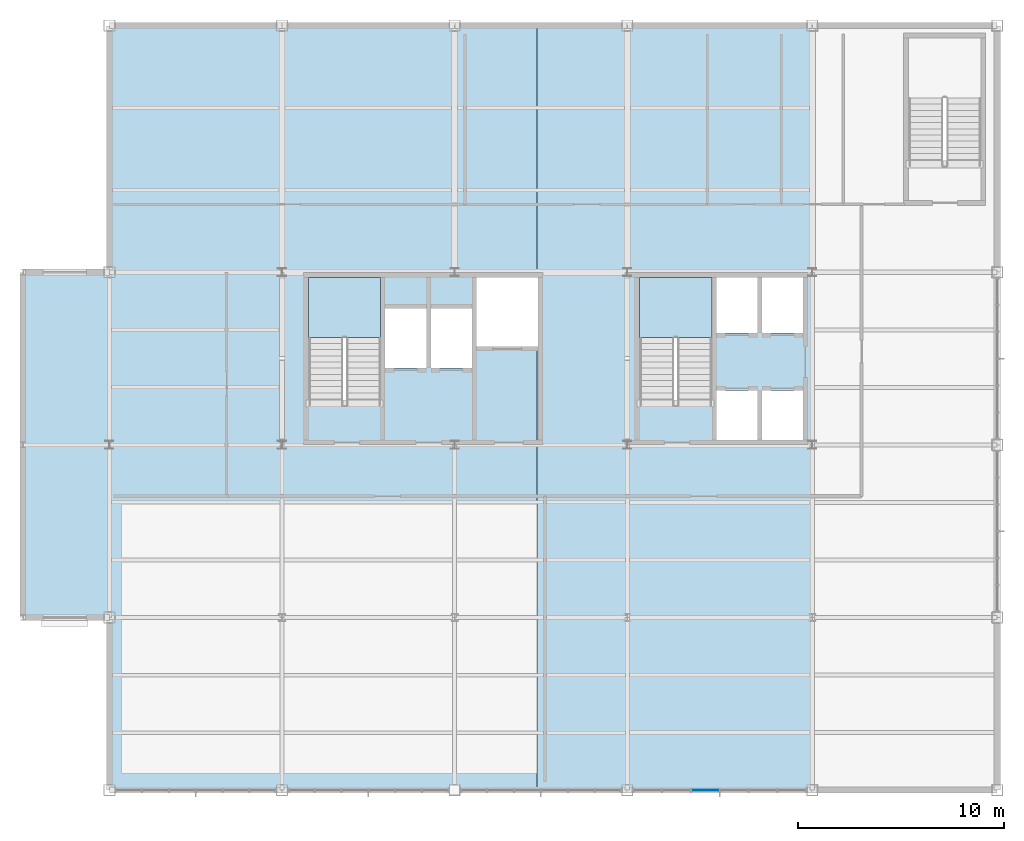
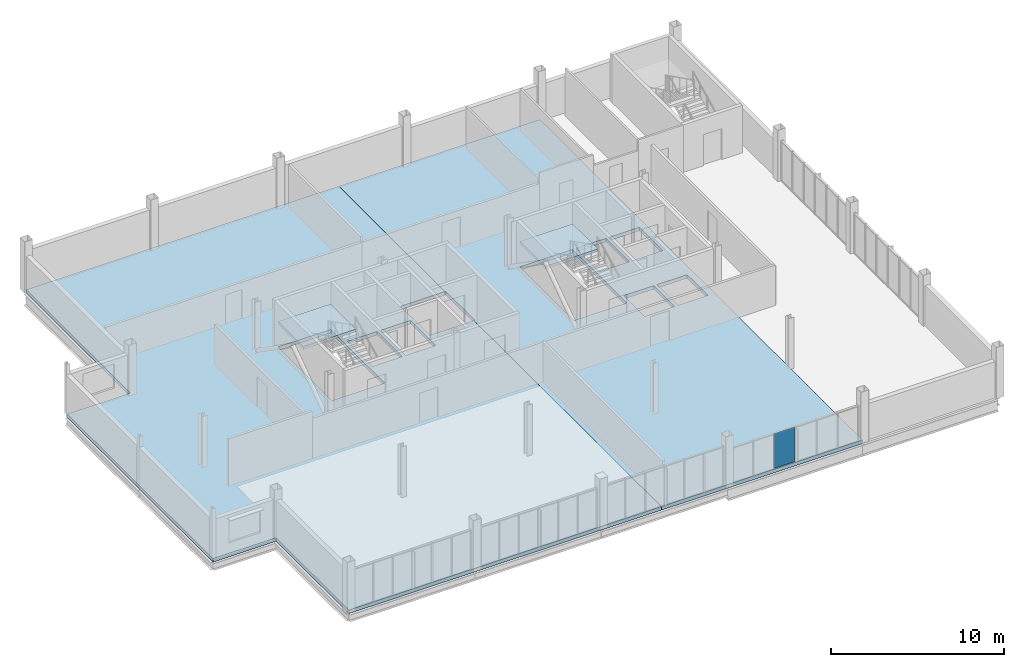
# One storey, part 12 of 18: 4 slabs, 1 plate, 3 elements without a shape of their own.
"""IFC4 building model written with IfcOpenShell, lengths in metres."""

from ifc_helpers import new_model, si_unit, direction, frame, origin, origin_2d, place, context, subcontext, project, spatial, polyline, rectangle, outline, extrude, material, layer, layer_set, type_object, element, aggregate, save


model = new_model("IFC4")

# Units and contexts
model_context = context("Model", 3, precision=1e-05, world=origin(), true_north=direction((0.0, 1.0)))
body_context = subcontext(model_context, "Body", "Model", "MODEL_VIEW")
ifc_project = project(units=[si_unit("LENGTHUNIT", "METRE"), si_unit("AREAUNIT", "SQUARE_METRE"), si_unit("VOLUMEUNIT", "CUBIC_METRE"), si_unit("PLANEANGLEUNIT", "RADIAN"), si_unit("MASSUNIT", "GRAM", prefix="KILO")], contexts=[model_context])

# Site, building, storey
site_placement = place(None, origin())
site = spatial("IfcSite", under=ifc_project, at=site_placement, CompositionType="ELEMENT")
building_placement = place(site_placement, origin())
building = spatial("IfcBuilding", under=site, at=building_placement, Name="Yukiwa Park Conservatory and Herbarium", CompositionType="ELEMENT")
storey_placement = place(building_placement, frame((0.0, 0.0, 24.60009765625)))
storey = spatial("IfcBuildingStorey", under=building, at=storey_placement, Name="L06", CompositionType="ELEMENT", Elevation=24.60009765625)

# Curtain wall, plate
ifc_material_1 = material(Name="Triple Low-E Insulated Glass", Category="glass")
ifc_layer_1 = layer(ifc_material_1, 0.248046875)
ifc_layer_set_1 = layer_set([ifc_layer_1], Name="Triple Low-E Insulated Glass")
curtain_wall_type = type_object("IfcCurtainWallType", Name="CW-TOWER-LAB-S-1400", PredefinedType="NOTDEFINED", material=ifc_layer_set_1)
curtain_wall_placement = place(storey_placement, origin())
curtain_wall = element("IfcCurtainWall", 1, at=curtain_wall_placement, inside=storey, type_object=curtain_wall_type, Name="L06 unitised curtain wall CW-L06-085", PredefinedType="NOTDEFINED")
ifc_material_2 = material(Name="Triple Low-E Insulated Glass", Category="glass")
ifc_layer_2 = layer(ifc_material_2, 0.035888671875)
ifc_layer_set_2 = layer_set([ifc_layer_2], Name="Triple Low-E Insulated Glass")
plate_type = type_object("IfcPlateType", Name="PL-CW-GLZ-36", PredefinedType="CURTAIN_PANEL", material=ifc_layer_set_2)
plate_placement = place(storey_placement, frame((153.7958984375, 78.0, 0.06982421875), z_axis=(0.0, 0.0, 1.0), x_axis=(1.0, 0.0, 0.0)))
plate = element("IfcPlate", 2, at=plate_placement, type_object=plate_type, Name="CW-L06-085 vision panel 3.1", PredefinedType="CURTAIN_PANEL", context=body_context, shape_type="SweptSolid", body=[
    extrude(rectangle(XDim=1.33837890625, YDim=0.035888671875, at=origin_2d()), origin(), (0.0, 0.0, 1.0), 2.4130859375),
])
aggregate(curtain_wall, [plate])

# Slabs
ifc_material_3 = material(Name="Concrete C40", Category="concrete")
ifc_layer_3 = layer(ifc_material_3, 0.25)
ifc_layer_set_3 = layer_set([ifc_layer_3], Name="Concrete C40")
slab_type_1 = type_object("IfcSlabType", Name="SL-FLR-250", PredefinedType="FLOOR", material=ifc_layer_set_3)
slab_1_placement = place(storey_placement, frame((0.0, 0.0, -0.25)))
element("IfcSlab", 3, at=slab_1_placement, inside=storey, type_object=slab_type_1, Name="L06 composite structural floor slab V5W", PredefinedType="FLOOR", context=body_context, shape_type="SweptSolid", body=[
    extrude(outline(polyline([(124.800048828125, 86.39990234375), (120.60009765625, 86.39990234375), (120.60009765625, 103.199951171875), (124.800048828125, 103.199951171875), (124.800048828125, 115.199951171875), (145.60009765625, 115.199951171875), (145.60009765625, 102.949951171875), (142.659912109375, 102.949951171875), (142.659912109375, 99.60009765625), (145.60009765625, 99.60009765625), (145.60009765625, 78.0), (124.800048828125, 78.0), (124.800048828125, 86.39990234375)]), holes=[polyline([(134.489990234375, 102.949951171875), (134.489990234375, 96.72998046875), (138.0, 96.72998046875), (138.0, 102.949951171875), (134.489990234375, 102.949951171875)]), polyline([(140.219970703125, 101.43994140625), (138.219970703125, 101.43994140625), (138.219970703125, 98.5400390625), (140.219970703125, 98.5400390625), (140.219970703125, 101.43994140625)]), polyline([(140.43994140625, 101.43994140625), (140.43994140625, 98.5400390625), (142.43994140625, 98.5400390625), (142.43994140625, 101.43994140625), (140.43994140625, 101.43994140625)])]), origin(), (0.0, 0.0, 1.0), 0.25),
])
slab_2_placement = place(storey_placement, frame((0.0, 0.0, -0.25)))
element("IfcSlab", 4, at=slab_2_placement, inside=storey, type_object=slab_type_1, Name="L06 composite structural floor slab V5C", PredefinedType="FLOOR", context=body_context, shape_type="SweptSolid", body=[
    extrude(outline(polyline([(145.60009765625, 99.60009765625), (145.659912109375, 99.60009765625), (145.659912109375, 102.949951171875), (145.60009765625, 102.949951171875), (145.60009765625, 115.199951171875), (159.0, 115.199951171875), (159.0, 78.0), (145.60009765625, 78.0), (145.60009765625, 99.60009765625)]), holes=[polyline([(154.330078125, 97.449951171875), (154.330078125, 95.050048828125), (156.330078125, 95.050048828125), (156.330078125, 97.449951171875), (154.330078125, 97.449951171875)]), polyline([(156.550048828125, 97.449951171875), (156.550048828125, 95.050048828125), (158.550048828125, 95.050048828125), (158.550048828125, 97.449951171875), (156.550048828125, 97.449951171875)]), polyline([(154.110107421875, 102.949951171875), (150.60009765625, 102.949951171875), (150.60009765625, 96.72998046875), (154.110107421875, 96.72998046875), (154.110107421875, 102.949951171875)]), polyline([(154.330078125, 102.949951171875), (154.330078125, 100.25), (156.330078125, 100.25), (156.330078125, 102.949951171875), (154.330078125, 102.949951171875)]), polyline([(158.550048828125, 102.949951171875), (156.550048828125, 102.949951171875), (156.550048828125, 100.25), (158.550048828125, 100.25), (158.550048828125, 102.949951171875)])]), origin(), (0.0, 0.0, 1.0), 0.25),
])

# Stair, slab
ifc_material_4 = material(Name="Concrete C40", Category="concrete")
stair_type_1 = type_object("IfcStairType", Name="ST-DOGLEG-ST-T1", PredefinedType="HALF_TURN_STAIR", material=ifc_material_4)
stair_1_placement = place(storey_placement, origin())
stair_1 = element("IfcStair", 5, at=stair_1_placement, inside=storey, type_object=stair_type_1, Name="L06 Protected Smoke-Proof Stair ST-T1", PredefinedType="HALF_TURN_STAIR")
ifc_material_5 = material(Name="Concrete C40", Category="concrete")
ifc_layer_4 = layer(ifc_material_5, 0.199951171875)
ifc_layer_set_4 = layer_set([ifc_layer_4], Name="Concrete C40")
slab_type_2 = type_object("IfcSlabType", Name="SL-LANDING-220", PredefinedType="LANDING", material=ifc_layer_set_4)
slab_3_placement = place(storey_placement, frame((0.0, 0.0, 1.599853515625)))
slab_3 = element("IfcSlab", 6, at=slab_3_placement, type_object=slab_type_2, Name="ST-T1 landing 1", PredefinedType="LANDING", context=body_context, shape_type="SweptSolid", body=[
    extrude(outline(polyline([(138.0, 100.030029296875), (138.0, 102.949951171875), (134.489990234375, 102.949951171875), (134.489990234375, 100.030029296875), (138.0, 100.030029296875)])), origin(), (0.0, 0.0, 1.0), 0.199951171875),
])
aggregate(stair_1, [slab_3])

ifc_material_6 = material(Name="Concrete C40", Category="concrete")
stair_type_2 = type_object("IfcStairType", Name="ST-DOGLEG-ST-T2", PredefinedType="HALF_TURN_STAIR", material=ifc_material_6)
stair_2_placement = place(storey_placement, origin())
stair_2 = element("IfcStair", 7, at=stair_2_placement, inside=storey, type_object=stair_type_2, Name="L06 Protected Smoke-Proof Stair ST-T2", PredefinedType="HALF_TURN_STAIR")
slab_4_placement = place(storey_placement, frame((0.0, 0.0, 1.599853515625)))
slab_4 = element("IfcSlab", 8, at=slab_4_placement, type_object=slab_type_2, Name="ST-T2 landing 1", PredefinedType="LANDING", context=body_context, shape_type="SweptSolid", body=[
    extrude(outline(polyline([(154.110107421875, 100.030029296875), (154.110107421875, 102.949951171875), (150.60009765625, 102.949951171875), (150.60009765625, 100.030029296875), (154.110107421875, 100.030029296875)])), origin(), (0.0, 0.0, 1.0), 0.199951171875),
])
aggregate(stair_2, [slab_4])

save(model, "model.ifc")
